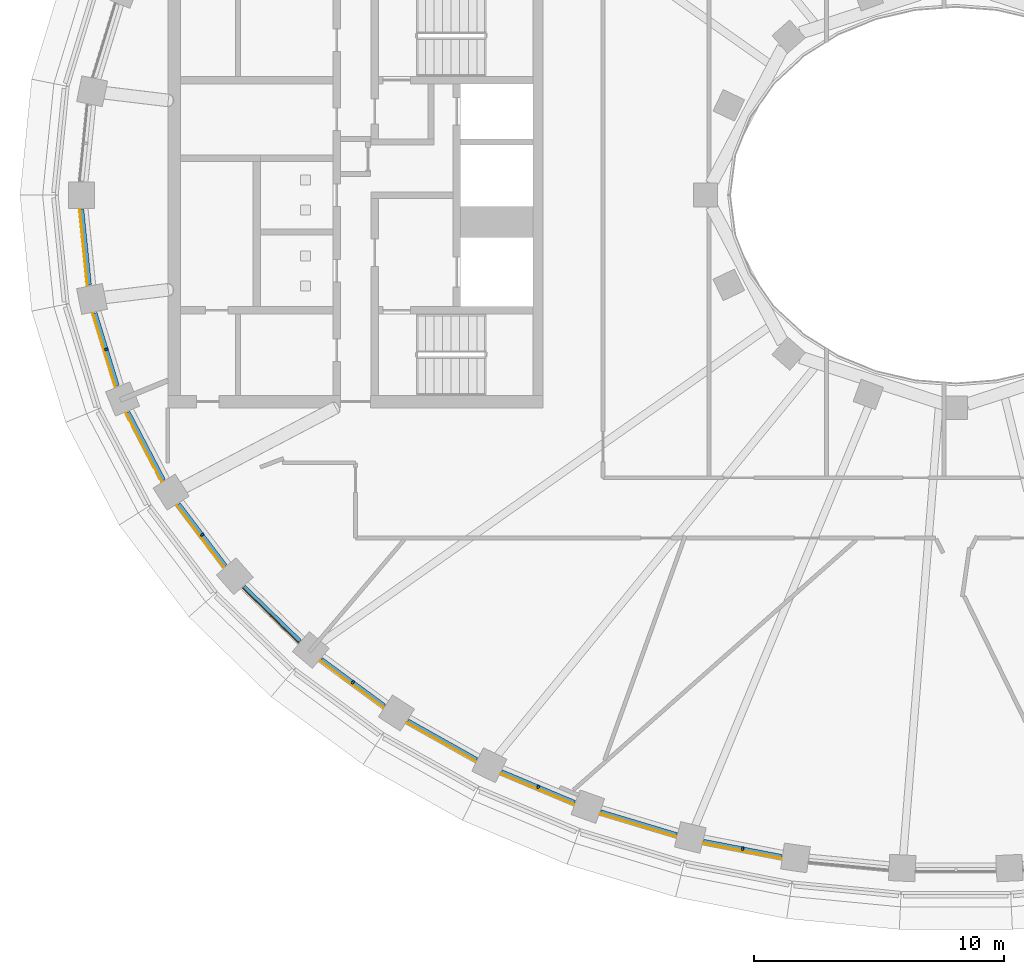
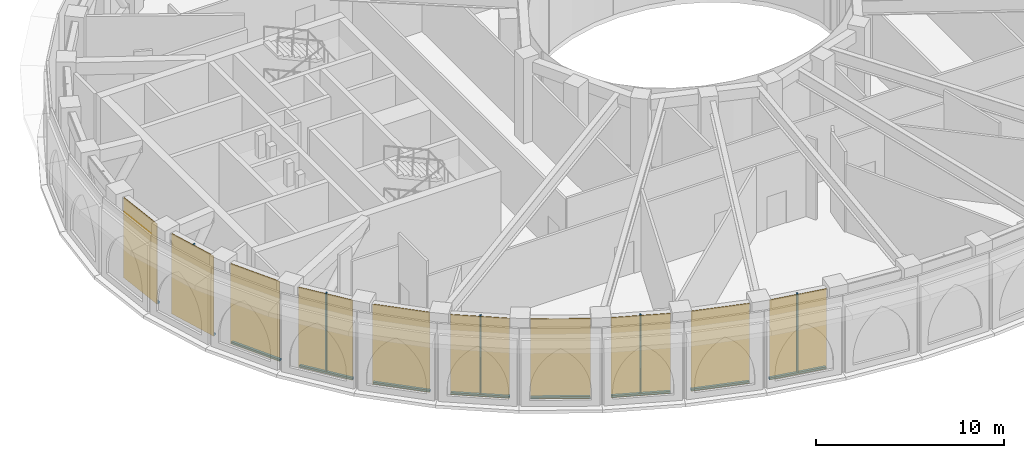
# One storey, part 10 of 23: 15 members, 10 curtain walls.
"""IFC4 building model written with IfcOpenShell, lengths in metres."""

from ifc_helpers import new_model, si_unit, direction, frame, origin, origin_2d, place, context, subcontext, project, spatial, polyline, rectangle, outline, extrude, material, layer, layer_set, material_profile, profile_set, type_object, element, aggregate, save


model = new_model("IFC4")

# Units and contexts
model_context = context("Model", 3, precision=1e-05, world=origin(), true_north=direction((0.0, 1.0)))
body_context = subcontext(model_context, "Body", "Model", "MODEL_VIEW")
ifc_project = project(units=[si_unit("LENGTHUNIT", "METRE"), si_unit("AREAUNIT", "SQUARE_METRE"), si_unit("VOLUMEUNIT", "CUBIC_METRE"), si_unit("PLANEANGLEUNIT", "RADIAN"), si_unit("MASSUNIT", "GRAM", prefix="KILO")], contexts=[model_context])

# Member
ifc_material_1 = material(Name="Aluminium 6063-T6 black anodised", Category="aluminium")
ifc_material_profile = material_profile(ifc_material_1, rectangle(XDim=0.14990234375, YDim=0.080078125, at=origin_2d()), Name="150x80")
ifc_profile_set = profile_set([ifc_material_profile], Name="Aluminium 6063-T6 black anodised")
member_type_1 = type_object("IfcMemberType", Name="ENV-MULLION-B-150", PredefinedType="MULLION", material=ifc_profile_set)
site_placement = place(None, origin())
building_placement = place(site_placement, origin())
storey_placement = place(building_placement, frame((0.0, 0.0, 285.5)))
member_1_placement = place(storey_placement, frame((-33.957275390625, -6.162109375, 0.1201171875), z_axis=(0.0, 0.0, 1.0), x_axis=(0.95636637957, 0.292170066961, 0.0)))
member_1 = element("IfcMember", 1, at=member_1_placement, type_object=member_type_1, Name="Mullion B chord 25", PredefinedType="MULLION", context=body_context, shape_type="SweptSolid", body=[
    extrude(rectangle(XDim=0.14990234375, YDim=0.080078125, at=origin_2d()), origin(), (0.0, 0.0, 1.0), 5.079833984375),
])

member_2_placement = place(storey_placement, frame((-30.12646484375, -13.576171875, 0.1201171875), z_axis=(0.0, 0.0, 1.0), x_axis=(0.796969018776, 0.604020184358, 0.0)))
member_2 = element("IfcMember", 2, at=member_2_placement, type_object=member_type_1, Name="Mullion B chord 27", PredefinedType="MULLION", context=body_context, shape_type="SweptSolid", body=[
    extrude(rectangle(XDim=0.14990234375, YDim=0.080078125, at=origin_2d()), origin(), (0.0, 0.0, 1.0), 5.079833984375),
])

member_3_placement = place(storey_placement, frame((-24.098388671875, -19.474365234375, 0.1201171875), z_axis=(0.0, 0.0, 1.0), x_axis=(0.593067090304, 0.805153045326, 0.0)))
member_3 = element("IfcMember", 3, at=member_3_placement, type_object=member_type_1, Name="Mullion B chord 29", PredefinedType="MULLION", context=body_context, shape_type="SweptSolid", body=[
    extrude(rectangle(XDim=0.14990234375, YDim=0.080078125, at=origin_2d()), origin(), (0.0, 0.0, 1.0), 5.079833984375),
])

member_4_placement = place(storey_placement, frame((-16.69482421875, -23.652587890625, 0.1201171875), z_axis=(0.0, 0.0, 1.0), x_axis=(0.387638279686, 0.921811566494, 0.0)))
member_4 = element("IfcMember", 4, at=member_4_placement, type_object=member_type_1, Name="Mullion B chord 31", PredefinedType="MULLION", context=body_context, shape_type="SweptSolid", body=[
    extrude(rectangle(XDim=0.14990234375, YDim=0.080078125, at=origin_2d()), origin(), (0.0, 0.0, 1.0), 5.079833984375),
])

member_5_placement = place(storey_placement, frame((-8.51953125, -26.12451171875, 0.1201171875), z_axis=(0.0, 0.0, 1.0), x_axis=(0.190820470077, 0.981624952922, 0.0)))
member_5 = element("IfcMember", 5, at=member_5_placement, type_object=member_type_1, Name="Mullion B chord 33", PredefinedType="MULLION", context=body_context, shape_type="SweptSolid", body=[
    extrude(rectangle(XDim=0.14990234375, YDim=0.080078125, at=origin_2d()), origin(), (0.0, 0.0, 1.0), 5.079833984375),
])

ifc_material_2 = material(Name="Aluminium 6063-T6 black anodised", Category="aluminium")
member_type_2 = type_object("IfcMemberType", Name="ENV-TRANSOM-B", PredefinedType="USERDEFINED", material=ifc_material_2)
member_6_placement = place(storey_placement, origin())
member_6 = element("IfcMember", 6, at=member_6_placement, type_object=member_type_2, Name="Transom B radial 24-25", ObjectType="TRANSOM", PredefinedType="USERDEFINED", context=body_context, shape_type="SweptSolid", body=[
    extrude(outline(polyline([(-35.005615234375, -0.572021484375), (-34.700439453125, -3.60302734375), (-34.552734375, -3.573486328125), (-34.85498046875, -0.572021484375), (-35.005615234375, -0.572021484375)])), origin(), (0.0, 0.0, 1.0), 0.1201171875),
])

member_7_placement = place(storey_placement, origin())
member_7 = element("IfcMember", 7, at=member_7_placement, type_object=member_type_2, Name="Transom B radial 25-26", ObjectType="TRANSOM", PredefinedType="USERDEFINED", context=body_context, shape_type="SweptSolid", body=[
    extrude(outline(polyline([(-34.475341796875, -4.722900390625), (-33.581787109375, -7.648193359375), (-33.4423828125, -7.591064453125), (-34.32763671875, -4.693115234375), (-34.475341796875, -4.722900390625)])), origin(), (0.0, 0.0, 1.0), 0.1201171875),
])

member_8_placement = place(storey_placement, origin())
member_8 = element("IfcMember", 8, at=member_8_placement, type_object=member_type_2, Name="Transom B radial 26-27", ObjectType="TRANSOM", PredefinedType="USERDEFINED", context=body_context, shape_type="SweptSolid", body=[
    extrude(outline(polyline([(-33.15087890625, -8.700439453125), (-31.727294921875, -11.431396484375), (-31.60009765625, -11.350830078125), (-33.011474609375, -8.643310546875), (-33.15087890625, -8.700439453125)])), origin(), (0.0, 0.0, 1.0), 0.1201171875),
])

member_9_placement = place(storey_placement, origin())
member_9 = element("IfcMember", 9, at=member_9_placement, type_object=member_type_2, Name="Transom B radial 27-28", ObjectType="TRANSOM", PredefinedType="USERDEFINED", context=body_context, shape_type="SweptSolid", body=[
    extrude(outline(polyline([(-31.12255859375, -12.38623046875), (-29.24755859375, -14.860107421875), (-29.135009765625, -14.760498046875), (-30.995361328125, -12.305908203125), (-31.12255859375, -12.38623046875)])), origin(), (0.0, 0.0, 1.0), 0.1201171875),
])

member_10_placement = place(storey_placement, origin())
member_10 = element("IfcMember", 10, at=member_10_placement, type_object=member_type_2, Name="Transom B radial 28-29", ObjectType="TRANSOM", PredefinedType="USERDEFINED", context=body_context, shape_type="SweptSolid", body=[
    extrude(outline(polyline([(-28.503662109375, -15.701416015625), (-26.260498046875, -17.880615234375), (-26.1630859375, -17.76611328125), (-28.390869140625, -15.6015625), (-28.503662109375, -15.701416015625)])), origin(), (0.0, 0.0, 1.0), 0.1201171875),
])

member_11_placement = place(storey_placement, origin())
member_11 = element("IfcMember", 11, at=member_11_placement, type_object=member_type_2, Name="Transom B radial 29-30", ObjectType="TRANSOM", PredefinedType="USERDEFINED", context=body_context, shape_type="SweptSolid", body=[
    extrude(outline(polyline([(-25.40869140625, -18.602294921875), (-22.8740234375, -20.46923828125), (-22.79248046875, -20.343017578125), (-25.3115234375, -18.487548828125), (-25.40869140625, -18.602294921875)])), origin(), (0.0, 0.0, 1.0), 0.1201171875),
])

member_12_placement = place(storey_placement, origin())
member_12 = element("IfcMember", 12, at=member_12_placement, type_object=member_type_2, Name="Transom B radial 30-31", ObjectType="TRANSOM", PredefinedType="USERDEFINED", context=body_context, shape_type="SweptSolid", body=[
    extrude(outline(polyline([(-21.94091796875, -21.071533203125), (-19.18115234375, -22.62060546875), (-19.115234375, -22.485595703125), (-21.859619140625, -20.9453125), (-21.94091796875, -21.071533203125)])), origin(), (0.0, 0.0, 1.0), 0.1201171875),
])

member_13_placement = place(storey_placement, origin())
member_13 = element("IfcMember", 13, at=member_13_placement, type_object=member_type_2, Name="Transom B radial 31-32", ObjectType="TRANSOM", PredefinedType="USERDEFINED", context=body_context, shape_type="SweptSolid", body=[
    extrude(outline(polyline([(-18.1875, -23.106201171875), (-15.25830078125, -24.338134765625), (-15.20751953125, -24.19677734375), (-18.12158203125, -22.97119140625), (-18.1875, -23.106201171875)])), origin(), (0.0, 0.0, 1.0), 0.1201171875),
])

member_14_placement = place(storey_placement, origin())
member_14 = element("IfcMember", 14, at=member_14_placement, type_object=member_type_2, Name="Transom B radial 32-33", ObjectType="TRANSOM", PredefinedType="USERDEFINED", context=body_context, shape_type="SweptSolid", body=[
    extrude(outline(polyline([(-14.220947265625, -24.711181640625), (-11.168701171875, -25.629638671875), (-11.1328125, -25.48388671875), (-14.170166015625, -24.56982421875), (-14.220947265625, -24.711181640625)])), origin(), (0.0, 0.0, 1.0), 0.1201171875),
])

member_15_placement = place(storey_placement, origin())
member_15 = element("IfcMember", 15, at=member_15_placement, type_object=member_type_2, Name="Transom B radial 33-34", ObjectType="TRANSOM", PredefinedType="USERDEFINED", context=body_context, shape_type="SweptSolid", body=[
    extrude(outline(polyline([(-10.10107421875, -25.893310546875), (-6.9658203125, -26.5029296875), (-6.9443359375, -26.354248046875), (-10.06494140625, -25.74755859375), (-10.10107421875, -25.893310546875)])), origin(), (0.0, 0.0, 1.0), 0.1201171875),
])

# Site, building, storey
site = spatial("IfcSite", under=ifc_project, at=site_placement, CompositionType="ELEMENT")
building = spatial("IfcBuilding", under=site, at=building_placement, Name="Noorbagh Ring Tower", CompositionType="ELEMENT")
storey = spatial("IfcBuildingStorey", under=building, at=storey_placement, Name="L61", CompositionType="ELEMENT", Elevation=285.5)

# Curtain wall
ifc_material_3 = material(Name="Glass dark tinted laminated", Category="glass")
ifc_layer = layer(ifc_material_3, 0.031982421875)
ifc_layer_set = layer_set([ifc_layer], Name="Glass dark tinted laminated")
curtain_wall_type = type_object("IfcCurtainWallType", Name="ENV-CW-B", PredefinedType="NOTDEFINED", material=ifc_layer_set)
curtain_wall_1_placement = place(storey_placement, origin())
curtain_wall_1 = element("IfcCurtainWall", 16, at=curtain_wall_1_placement, inside=storey, type_object=curtain_wall_type, Name="Curtain wall B R24", PredefinedType="NOTDEFINED", context=body_context, shape_type="SweptSolid", body=[
    extrude(outline(polyline([(-35.037841796875, -0.572021484375), (-34.73193359375, -3.609375), (-34.700439453125, -3.60302734375), (-35.005615234375, -0.572021484375), (-35.037841796875, -0.572021484375)])), origin(), (0.0, 0.0, 1.0), 5.199951171875),
])

aggregate(curtain_wall_1, [member_6])

curtain_wall_2_placement = place(storey_placement, origin())
curtain_wall_2 = element("IfcCurtainWall", 17, at=curtain_wall_2_placement, inside=storey, type_object=curtain_wall_type, Name="Curtain wall B R25", PredefinedType="NOTDEFINED", context=body_context, shape_type="SweptSolid", body=[
    extrude(outline(polyline([(-34.5068359375, -4.729248046875), (-33.611328125, -7.660400390625), (-33.581787109375, -7.648193359375), (-34.475341796875, -4.722900390625), (-34.5068359375, -4.729248046875)])), origin(), (0.0, 0.0, 1.0), 5.199951171875),
])

aggregate(curtain_wall_2, [member_1, member_7])

curtain_wall_3_placement = place(storey_placement, origin())
curtain_wall_3 = element("IfcCurtainWall", 18, at=curtain_wall_3_placement, inside=storey, type_object=curtain_wall_type, Name="Curtain wall B R26", PredefinedType="NOTDEFINED", context=body_context, shape_type="SweptSolid", body=[
    extrude(outline(polyline([(-33.1806640625, -8.712646484375), (-31.75439453125, -11.448486328125), (-31.727294921875, -11.431396484375), (-33.15087890625, -8.700439453125), (-33.1806640625, -8.712646484375)])), origin(), (0.0, 0.0, 1.0), 5.199951171875),
])

aggregate(curtain_wall_3, [member_8])

curtain_wall_4_placement = place(storey_placement, origin())
curtain_wall_4 = element("IfcCurtainWall", 19, at=curtain_wall_4_placement, inside=storey, type_object=curtain_wall_type, Name="Curtain wall B R27", PredefinedType="NOTDEFINED", context=body_context, shape_type="SweptSolid", body=[
    extrude(outline(polyline([(-31.149658203125, -12.403564453125), (-29.271484375, -14.88134765625), (-29.24755859375, -14.860107421875), (-31.12255859375, -12.38623046875), (-31.149658203125, -12.403564453125)])), origin(), (0.0, 0.0, 1.0), 5.199951171875),
])

aggregate(curtain_wall_4, [member_2, member_9])

curtain_wall_5_placement = place(storey_placement, origin())
curtain_wall_5 = element("IfcCurtainWall", 20, at=curtain_wall_5_placement, inside=storey, type_object=curtain_wall_type, Name="Curtain wall B R28", PredefinedType="NOTDEFINED", context=body_context, shape_type="SweptSolid", body=[
    extrude(outline(polyline([(-28.527587890625, -15.72265625), (-26.28125, -17.9052734375), (-26.260498046875, -17.880615234375), (-28.503662109375, -15.701416015625), (-28.527587890625, -15.72265625)])), origin(), (0.0, 0.0, 1.0), 5.199951171875),
])

aggregate(curtain_wall_5, [member_10])

curtain_wall_6_placement = place(storey_placement, origin())
curtain_wall_6 = element("IfcCurtainWall", 21, at=curtain_wall_6_placement, inside=storey, type_object=curtain_wall_type, Name="Curtain wall B R29", PredefinedType="NOTDEFINED", context=body_context, shape_type="SweptSolid", body=[
    extrude(outline(polyline([(-25.429443359375, -18.626708984375), (-22.8916015625, -20.496337890625), (-22.8740234375, -20.46923828125), (-25.40869140625, -18.602294921875), (-25.429443359375, -18.626708984375)])), origin(), (0.0, 0.0, 1.0), 5.199951171875),
])

aggregate(curtain_wall_6, [member_3, member_11])

curtain_wall_7_placement = place(storey_placement, origin())
curtain_wall_7 = element("IfcCurtainWall", 22, at=curtain_wall_7_placement, inside=storey, type_object=curtain_wall_type, Name="Curtain wall B R30", PredefinedType="NOTDEFINED", context=body_context, shape_type="SweptSolid", body=[
    extrude(outline(polyline([(-21.95849609375, -21.098388671875), (-19.1953125, -22.6494140625), (-19.18115234375, -22.62060546875), (-21.94091796875, -21.071533203125), (-21.95849609375, -21.098388671875)])), origin(), (0.0, 0.0, 1.0), 5.199951171875),
])

aggregate(curtain_wall_7, [member_12])

curtain_wall_8_placement = place(storey_placement, origin())
curtain_wall_8 = element("IfcCurtainWall", 23, at=curtain_wall_8_placement, inside=storey, type_object=curtain_wall_type, Name="Curtain wall B R31", PredefinedType="NOTDEFINED", context=body_context, shape_type="SweptSolid", body=[
    extrude(outline(polyline([(-18.20166015625, -23.135009765625), (-15.269287109375, -24.3681640625), (-15.25830078125, -24.338134765625), (-18.1875, -23.106201171875), (-18.20166015625, -23.135009765625)])), origin(), (0.0, 0.0, 1.0), 5.199951171875),
])

aggregate(curtain_wall_8, [member_4, member_13])

curtain_wall_9_placement = place(storey_placement, origin())
curtain_wall_9 = element("IfcCurtainWall", 24, at=curtain_wall_9_placement, inside=storey, type_object=curtain_wall_type, Name="Curtain wall B R32", PredefinedType="NOTDEFINED", context=body_context, shape_type="SweptSolid", body=[
    extrude(outline(polyline([(-14.231689453125, -24.7412109375), (-11.176513671875, -25.66064453125), (-11.168701171875, -25.629638671875), (-14.220947265625, -24.711181640625), (-14.231689453125, -24.7412109375)])), origin(), (0.0, 0.0, 1.0), 5.199951171875),
])

aggregate(curtain_wall_9, [member_14])

curtain_wall_10_placement = place(storey_placement, origin())
curtain_wall_10 = element("IfcCurtainWall", 25, at=curtain_wall_10_placement, inside=storey, type_object=curtain_wall_type, Name="Curtain wall B R33", PredefinedType="NOTDEFINED", context=body_context, shape_type="SweptSolid", body=[
    extrude(outline(polyline([(-10.108642578125, -25.924560546875), (-6.970458984375, -26.53466796875), (-6.9658203125, -26.5029296875), (-10.10107421875, -25.893310546875), (-10.108642578125, -25.924560546875)])), origin(), (0.0, 0.0, 1.0), 5.199951171875),
])

aggregate(curtain_wall_10, [member_5, member_15])

save(model, "model.ifc")
